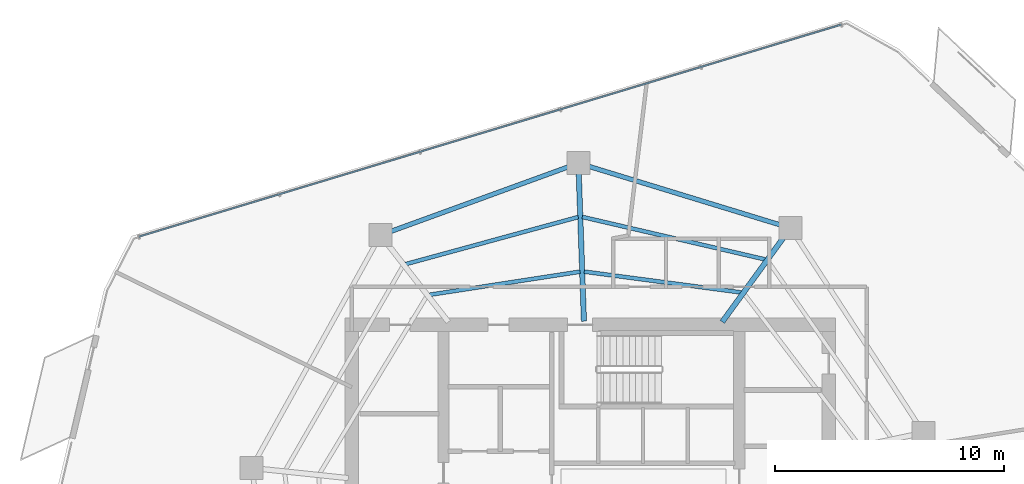
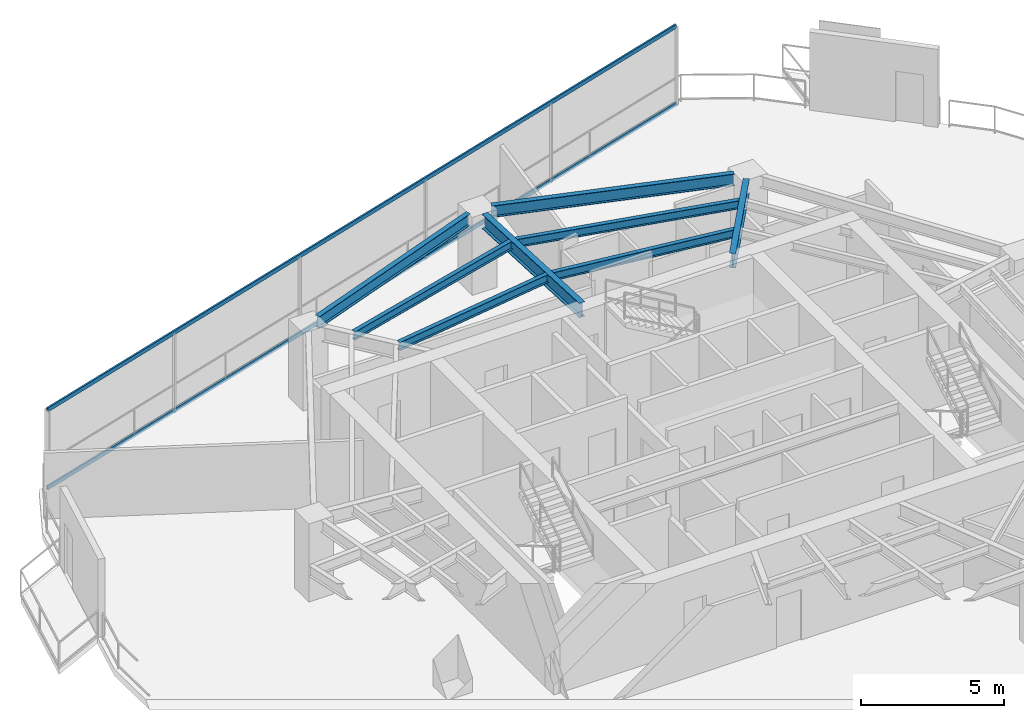
# One storey, part 12 of 19: 8 beams, 2 members, 1 element without a shape of its own.
"""IFC4 building model written with IfcOpenShell, lengths in metres."""

import ifcopenshell
import ifcopenshell.guid

model = None  # the IFC model being written
_history = None  # IfcOwnerHistory: only IFC2X3 demands one
_inside = {}  # id of a spatial element -> (the spatial element, [elements in it])
_under = {}  # id of a project, library or spatial element -> (it, [spatial elements below it])
_declared = {}  # id of a project -> (the project, [libraries it declares])
_typed = {}  # id of a type object -> (the type object, [elements of that type])
_made_of = {}  # id of a material, layer set ... -> (it, [elements and type objects made of it])


def new_model(schema):
    """Start an empty IFC model of exactly this schema.

    Asked for "IFC4X3", IfcOpenShell would pick the latest addendum, in which some entities
    have other attributes; the version numbers below select the first issue.
    IFC2X3 requires an IfcOwnerHistory on every rooted entity: one is made here for all.
    """
    global model, _history
    if schema == "IFC4X3":
        model = ifcopenshell.file(schema_version=(4, 3, 0, 0))
    else:
        model = ifcopenshell.file(schema=schema)
    _inside.clear()
    _under.clear()
    _declared.clear()
    _typed.clear()
    _made_of.clear()
    _history = None
    if model.schema == "IFC2X3":
        org = make("IfcOrganization", Name="unknown")
        user = make(
            "IfcPersonAndOrganization",
            ThePerson=make("IfcPerson", FamilyName="unknown"),
            TheOrganization=org,
        )
        app = make(
            "IfcApplication",
            ApplicationDeveloper=org,
            Version="unknown",
            ApplicationFullName="unknown",
            ApplicationIdentifier="unknown",
        )
        _history = make(
            "IfcOwnerHistory",
            OwningUser=user,
            OwningApplication=app,
            ChangeAction="ADDED",
            CreationDate=0,
        )
    return model


def make(cls, **values):
    """One entity of the class cls with the attributes given. An attribute that is None is left unset."""
    return model.create_entity(
        cls, **{name: value for name, value in values.items() if value is not None}
    )


def rooted(cls, **values):
    """An entity with a GlobalId (a new one), such as an element, a storey or a relation."""
    return make(cls, GlobalId=ifcopenshell.guid.new(), OwnerHistory=_history, **values)


def si_unit(unit_type, name, prefix=None):
    """IfcSIUnit, for example si_unit("LENGTHUNIT", "METRE", prefix="MILLI")."""
    return make("IfcSIUnit", UnitType=unit_type, Prefix=prefix, Name=name)


def assignment(units):
    """IfcUnitAssignment: the units of a project."""
    return None if units is None else make("IfcUnitAssignment", Units=units)


def point(xyz):
    """IfcCartesianPoint."""
    return None if xyz is None else make("IfcCartesianPoint", Coordinates=xyz)


def direction(xyz):
    """IfcDirection."""
    return None if xyz is None else make("IfcDirection", DirectionRatios=xyz)


def frame(location, z_axis=None, x_axis=None):
    """IfcAxis2Placement3D, a coordinate frame: its origin and axes. An axis left out is left unset."""
    return make(
        "IfcAxis2Placement3D",
        Location=point(location),
        Axis=direction(z_axis),
        RefDirection=direction(x_axis),
    )


def frame_2d(location, x_axis=None):
    """IfcAxis2Placement2D, a coordinate frame in the plane: its origin and x axis."""
    return make(
        "IfcAxis2Placement2D", Location=point(location), RefDirection=direction(x_axis)
    )


def origin():
    """The frame at (0, 0, 0) with its axes left unset."""
    return frame((0.0, 0.0, 0.0))


def origin_2d():
    """The frame at (0, 0) in the plane with its x axis left unset."""
    return frame_2d((0.0, 0.0))


def place(relative_to, where):
    """IfcLocalPlacement: puts the frame where relative to a parent placement (None: the world)."""
    return make(
        "IfcLocalPlacement", PlacementRelTo=relative_to, RelativePlacement=where
    )


def context(
    kind, dimensions, precision=None, world=None, true_north=None, identifier=None
):
    """IfcGeometricRepresentationContext, for example the 3D "Model" context."""
    return make(
        "IfcGeometricRepresentationContext",
        ContextIdentifier=identifier,
        ContextType=kind,
        CoordinateSpaceDimension=dimensions,
        Precision=precision,
        WorldCoordinateSystem=world,
        TrueNorth=true_north,
    )


def subcontext(parent, identifier, kind, view, scale=None):
    """IfcGeometricRepresentationSubContext, for example "Body" below "Model"."""
    return make(
        "IfcGeometricRepresentationSubContext",
        ContextIdentifier=identifier,
        ContextType=kind,
        ParentContext=parent,
        TargetScale=scale,
        TargetView=view,
    )


def project(units=None, contexts=None):
    """IfcProject with its units and contexts."""
    return rooted(
        "IfcProject",
        Name="project",
        RepresentationContexts=contexts,
        UnitsInContext=assignment(units),
    )


def spatial(cls, under=None, at=None, **own):
    """A site, building, storey or space (cls), placed at a placement, below another one or the project."""
    s = rooted(cls, ObjectPlacement=at, **own)
    if under is not None:
        _under.setdefault(under.id(), (under, []))[1].append(s)
    return s


def profile(cls, at=None, kind="AREA", **sizes):
    """A parametric profile (cls). Its sizes go by their IFC names, for example OverallWidth=200.0."""
    return make(cls, ProfileType=kind, Position=at, **sizes)


def hollow_rectangle(**sizes):
    """IfcRectangleHollowProfileDef."""
    return profile("IfcRectangleHollowProfileDef", **sizes)


def i_section(**sizes):
    """IfcIShapeProfileDef."""
    return profile("IfcIShapeProfileDef", **sizes)


def extrude(swept, where, along, depth):
    """IfcExtrudedAreaSolid: the profile swept, set in the frame where, extruded along a direction by depth."""
    return make(
        "IfcExtrudedAreaSolid",
        SweptArea=swept,
        Position=where,
        ExtrudedDirection=direction(along),
        Depth=depth,
    )


def shape(context_of_items, identifier, shape_type, items):
    """IfcShapeRepresentation: the items that make up one representation, for example the "Body"."""
    return make(
        "IfcShapeRepresentation",
        ContextOfItems=context_of_items,
        RepresentationIdentifier=identifier,
        RepresentationType=shape_type,
        Items=items,
    )


def material(Name=None, Category=None):
    """IfcMaterial."""
    return make("IfcMaterial", Name=Name, Category=Category)


def layer(
    of_material, thickness, ventilated=None, Name=None, Category=None, Priority=None
):
    """IfcMaterialLayer: one layer of a wall or slab, of a material (None: an air gap)."""
    return make(
        "IfcMaterialLayer",
        Material=of_material,
        LayerThickness=thickness,
        IsVentilated=ventilated,
        Name=Name,
        Category=Category,
        Priority=Priority,
    )


def layer_set(layers, Name=None):
    """IfcMaterialLayerSet."""
    return make("IfcMaterialLayerSet", MaterialLayers=layers, LayerSetName=Name)


def material_profile(
    of_material, cross_section, Name=None, Category=None, Priority=None
):
    """IfcMaterialProfile: a cross section and its material."""
    return make(
        "IfcMaterialProfile",
        Name=Name,
        Material=of_material,
        Profile=cross_section,
        Priority=Priority,
        Category=Category,
    )


def profile_set(profiles, Name=None, composite=None):
    """IfcMaterialProfileSet."""
    return make(
        "IfcMaterialProfileSet",
        Name=Name,
        MaterialProfiles=profiles,
        CompositeProfile=composite,
    )


def made_of(thing, what):
    """Note that an element or type object is made of a material, layer set ...; save() writes the relation."""
    if what is not None:
        _made_of.setdefault(what.id(), (what, []))[1].append(thing)
    return thing


def type_object(cls, material=None, **own):
    """A type object (cls), such as IfcWallType, which elements share."""
    return made_of(rooted(cls, **own), material)


def element(
    cls,
    number,
    at=None,
    inside=None,
    cuts=None,
    type_object=None,
    material=None,
    context=None,
    identifier="Body",
    shape_type=None,
    held_by="IfcProductDefinitionShape",
    body=None,
    shapes=None,
    **own,
):
    """One element of the class cls, such as IfcWall. Its Tag is "e" and its number.

    at: its placement. inside: the storey or other place that contains it. cuts: it is an
    opening in that element (IfcRelVoidsElement). A single representation is given by context,
    identifier, shape_type and body (its items); several are given by shapes. held_by: the class
    of the entity that holds the representations. save() writes the other relations.
    """
    e = rooted(cls, Tag="e%d" % number, ObjectPlacement=at, **own)
    if body is not None:
        shapes = [shape(context, identifier, shape_type, body)]
    if shapes is not None:
        e.Representation = make(held_by, Representations=shapes)
    if inside is not None:
        _inside.setdefault(inside.id(), (inside, []))[1].append(e)
    if cuts is not None:
        rooted(
            "IfcRelVoidsElement", RelatingBuildingElement=cuts, RelatedOpeningElement=e
        )
    if type_object is not None:
        _typed.setdefault(type_object.id(), (type_object, []))[1].append(e)
    return made_of(e, material)


def aggregate(whole, parts):
    """IfcRelAggregates: a whole, such as a stair, and the parts it consists of."""
    return rooted("IfcRelAggregates", RelatingObject=whole, RelatedObjects=parts)


def save(model, path):
    """Write the relations noted so far, then the file.

    IfcRelAggregates (storeys below a building ...), IfcRelContainedInSpatialStructure (elements
    in a storey), IfcRelDefinesByType, IfcRelAssociatesMaterial and IfcRelDeclares: one each for
    every whole, place, type object, material and project.
    """
    for whole, parts in _under.values():
        aggregate(whole, parts)
    for where, things in _inside.values():
        rooted(
            "IfcRelContainedInSpatialStructure",
            RelatedElements=things,
            RelatingStructure=where,
        )
    for kind, things in _typed.values():
        rooted("IfcRelDefinesByType", RelatedObjects=things, RelatingType=kind)
    for what, things in _made_of.values():
        rooted("IfcRelAssociatesMaterial", RelatedObjects=things, RelatingMaterial=what)
    for by, libraries in _declared.values():
        rooted("IfcRelDeclares", RelatingContext=by, RelatedDefinitions=libraries)
    model.write(path)


model = new_model("IFC4")

# Units and contexts
model_context = context("Model", 3, precision=1e-05, world=origin(), true_north=direction((0.0, 1.0)))
body_context = subcontext(model_context, "Body", "Model", "MODEL_VIEW")
ifc_project = project(units=[si_unit("LENGTHUNIT", "METRE"), si_unit("AREAUNIT", "SQUARE_METRE"), si_unit("VOLUMEUNIT", "CUBIC_METRE"), si_unit("PLANEANGLEUNIT", "RADIAN"), si_unit("MASSUNIT", "GRAM", prefix="KILO")], contexts=[model_context])

# Site, building, storey
site_placement = place(None, origin())
site = spatial("IfcSite", under=ifc_project, at=site_placement, CompositionType="ELEMENT")
building_placement = place(site_placement, origin())
building = spatial("IfcBuilding", under=site, at=building_placement, Name="Qarnah Convention Tower", CompositionType="ELEMENT")
storey_placement = place(building_placement, frame((0.0, 0.0, 129.300048828125)))
storey = spatial("IfcBuildingStorey", under=building, at=storey_placement, Name="L34", CompositionType="ELEMENT", Elevation=129.300048828125)

# Beams
ifc_material_1 = material(Name="Structural steel S355JR", Category="steel")
ifc_material_profile_1 = material_profile(ifc_material_1, i_section(OverallWidth=0.172119140625, OverallDepth=0.35595703125, WebThickness=0.007080078125, FlangeThickness=0.011962890625, at=origin_2d()), Name="W360X51")
ifc_profile_set_1 = profile_set([ifc_material_profile_1], Name="Structural steel S355JR")
beam_type_1 = type_object("IfcBeamType", Name="BM-JST-W360", PredefinedType="JOIST", material=ifc_profile_set_1)
beam_1_placement = place(storey_placement, frame((44.8310546875, 37.04296875, 3.141845703125), z_axis=(-0.974056627147, 0.226304412487, 0.0), x_axis=(-0.226304412487, -0.974056627147, 0.0)))
element("IfcBeam", 1, at=beam_1_placement, inside=storey, type_object=beam_type_1, Name="L34 joist BM-L34-SJST-02", PredefinedType="JOIST", context=body_context, shape_type="SweptSolid", body=[
    extrude(i_section(OverallWidth=0.172119140625, OverallDepth=0.35595703125, WebThickness=0.007080078125, FlangeThickness=0.011962890625, at=origin_2d()), origin(), (0.0, 0.0, 1.0), 8.192626953125),
])
beam_2_placement = place(storey_placement, frame((36.676025390625, 38.89306640625, 3.141845703125), z_axis=(-0.964679279523, -0.263427196127, 0.0), x_axis=(0.263427196127, -0.964679279523, 0.0)))
element("IfcBeam", 2, at=beam_2_placement, inside=storey, type_object=beam_type_1, Name="L34 joist BM-L34-SJST-03", PredefinedType="JOIST", context=body_context, shape_type="SweptSolid", body=[
    extrude(i_section(OverallWidth=0.172119140625, OverallDepth=0.35595703125, WebThickness=0.007080078125, FlangeThickness=0.011962890625, at=origin_2d()), origin(), (0.0, 0.0, 1.0), 7.8017578125),
])
beam_3_placement = place(storey_placement, frame((43.7880859375, 35.60302734375, 3.141845703125), z_axis=(-0.991316211877, 0.131499688478, 0.0), x_axis=(-0.131499688478, -0.991316211877, 0.0)))
element("IfcBeam", 3, at=beam_3_placement, inside=storey, type_object=beam_type_1, Name="L34 joist BM-L34-IJST-02", PredefinedType="JOIST", context=body_context, shape_type="SweptSolid", body=[
    extrude(i_section(OverallWidth=0.172119140625, OverallDepth=0.35595703125, WebThickness=0.007080078125, FlangeThickness=0.011962890625, at=origin_2d()), origin(), (0.0, 0.0, 1.0), 6.912109375),
])
beam_4_placement = place(storey_placement, frame((36.758056640625, 36.510009765625, 3.141845703125), z_axis=(-0.988429806813, -0.151678993285, 0.0), x_axis=(0.151678993285, -0.988429806813, 0.0)))
element("IfcBeam", 4, at=beam_4_placement, inside=storey, type_object=beam_type_1, Name="L34 joist BM-L34-IJST-03", PredefinedType="JOIST", context=body_context, shape_type="SweptSolid", body=[
    extrude(i_section(OverallWidth=0.172119140625, OverallDepth=0.35595703125, WebThickness=0.007080078125, FlangeThickness=0.011962890625, at=origin_2d()), origin(), (0.0, 0.0, 1.0), 6.64599609375),
])
ifc_material_profile_2 = material_profile(ifc_material_1, i_section(OverallWidth=0.22998046875, OverallDepth=0.617919921875, WebThickness=0.012939453125, FlangeThickness=0.02197265625, at=origin_2d()), Name="W610X140")
ifc_profile_set_2 = profile_set([ifc_material_profile_2], Name="Structural steel S355JR")
beam_type_2 = type_object("IfcBeamType", Name="BM-RAD-W610A", PredefinedType="BEAM", material=ifc_profile_set_2)
beam_5_placement = place(storey_placement, frame((42.955078125, 34.321044921875, 3.010986328125), z_axis=(0.58781027487, 0.808998813817, 0.0), x_axis=(-0.808998813817, 0.58781027487, 0.0)))
element("IfcBeam", 5, at=beam_5_placement, inside=storey, type_object=beam_type_2, Name="L34 beam BM-L34-RAD-02", PredefinedType="BEAM", context=body_context, shape_type="SweptSolid", body=[
    extrude(i_section(OverallWidth=0.22998046875, OverallDepth=0.617919921875, WebThickness=0.012939453125, FlangeThickness=0.02197265625, at=origin_2d()), origin(), (0.0, 0.0, 1.0), 4.57958984375),
])
beam_6_placement = place(storey_placement, frame((36.923095703125, 34.35009765625, 3.010986328125), z_axis=(-0.034938098977, 0.999389478252, 0.0), x_axis=(-0.999389478252, -0.034938098977, 0.0)))
element("IfcBeam", 6, at=beam_6_placement, inside=storey, type_object=beam_type_2, Name="L34 beam BM-L34-RAD-03", PredefinedType="BEAM", context=body_context, shape_type="SweptSolid", body=[
    extrude(i_section(OverallWidth=0.22998046875, OverallDepth=0.617919921875, WebThickness=0.012939453125, FlangeThickness=0.02197265625, at=origin_2d()), origin(), (0.0, 0.0, 1.0), 6.414794921875),
])
ifc_material_profile_3 = material_profile(ifc_material_1, i_section(OverallWidth=0.199951171875, OverallDepth=0.5, WebThickness=0.010009765625, FlangeThickness=0.01611328125, at=origin_2d()), Name="IPE500")
ifc_profile_set_3 = profile_set([ifc_material_profile_3], Name="Structural steel S355JR")
beam_type_3 = type_object("IfcBeamType", Name="BM-SPN-IPE500", PredefinedType="SPANDREL", material=ifc_profile_set_3)
beam_7_placement = place(storey_placement, frame((45.4599609375, 38.556884765625, 3.070068359375), z_axis=(-0.956283054976, 0.292442676035, 0.0), x_axis=(-0.292442676035, -0.956283054976, 0.0)))
element("IfcBeam", 7, at=beam_7_placement, inside=storey, type_object=beam_type_3, Name="L34 spandrel BM-L34-SPN-02", PredefinedType="SPANDREL", context=body_context, shape_type="SweptSolid", body=[
    extrude(i_section(OverallWidth=0.199951171875, OverallDepth=0.5, WebThickness=0.010009765625, FlangeThickness=0.01611328125, at=origin_2d()), origin(), (0.0, 0.0, 1.0), 8.68896484375),
])
beam_8_placement = place(storey_placement, frame((36.221923828125, 41.072998046875, 3.070068359375), z_axis=(-0.939745596534, -0.341874558567, 0.0), x_axis=(0.341874558567, -0.939745596534, 0.0)))
element("IfcBeam", 8, at=beam_8_placement, inside=storey, type_object=beam_type_3, Name="L34 spandrel BM-L34-SPN-03", PredefinedType="SPANDREL", context=body_context, shape_type="SweptSolid", body=[
    extrude(i_section(OverallWidth=0.199951171875, OverallDepth=0.5, WebThickness=0.010009765625, FlangeThickness=0.01611328125, at=origin_2d()), origin(), (0.0, 0.0, 1.0), 8.19873046875),
])

# Curtain wall, members
ifc_material_2 = material(Name="Tempered Low-E dark glass", Category="glass")
ifc_layer = layer(ifc_material_2, 0.172119140625)
ifc_layer_set = layer_set([ifc_layer], Name="Tempered Low-E dark glass")
curtain_wall_type = type_object("IfcCurtainWallType", Name="CWS-03", PredefinedType="NOTDEFINED", material=ifc_layer_set)
curtain_wall_placement = place(storey_placement, origin())
curtain_wall = element("IfcCurtainWall", 9, at=curtain_wall_placement, inside=storey, type_object=curtain_wall_type, Name="L34 unitised curtain wall CW-L34-F2", PredefinedType="NOTDEFINED")
ifc_material_3 = material(Name="Black anodised aluminium", Category="aluminium")
ifc_material_profile_4 = material_profile(ifc_material_3, hollow_rectangle(XDim=0.070068359375, YDim=0.169921875, WallThickness=0.0048828125, at=origin_2d()), Name="TRN-70X170")
ifc_profile_set_4 = profile_set([ifc_material_profile_4], Name="Black anodised aluminium")
member_type = type_object("IfcMemberType", Name="TRN-T3", PredefinedType="USERDEFINED", material=ifc_profile_set_4)
member_1_placement = place(storey_placement, frame((17.52197265625, 38.035888671875, 0.0), z_axis=(0.957320698801, 0.28902781812, 0.0), x_axis=(-0.28902781812, 0.957320698801, 0.0)))
member_1 = element("IfcMember", 10, at=member_1_placement, type_object=member_type, Name="CW-L34-F2 transom 1", ObjectType="TRANSOM", PredefinedType="USERDEFINED", context=body_context, shape_type="SweptSolid", body=[
    extrude(hollow_rectangle(XDim=0.070068359375, YDim=0.169921875, WallThickness=0.0048828125, at=origin_2d()), origin(), (0.0, 0.0, 1.0), 31.990234375),
])
member_2_placement = place(storey_placement, frame((17.52197265625, 38.035888671875, 3.320068359375), z_axis=(0.957320698801, 0.28902781812, 0.0), x_axis=(-0.28902781812, 0.957320698801, 0.0)))
member_2 = element("IfcMember", 11, at=member_2_placement, type_object=member_type, Name="CW-L34-F2 transom 2", ObjectType="TRANSOM", PredefinedType="USERDEFINED", context=body_context, shape_type="SweptSolid", body=[
    extrude(hollow_rectangle(XDim=0.070068359375, YDim=0.169921875, WallThickness=0.0048828125, at=origin_2d()), origin(), (0.0, 0.0, 1.0), 31.990234375),
])
aggregate(curtain_wall, [member_1, member_2])

save(model, "model.ifc")
